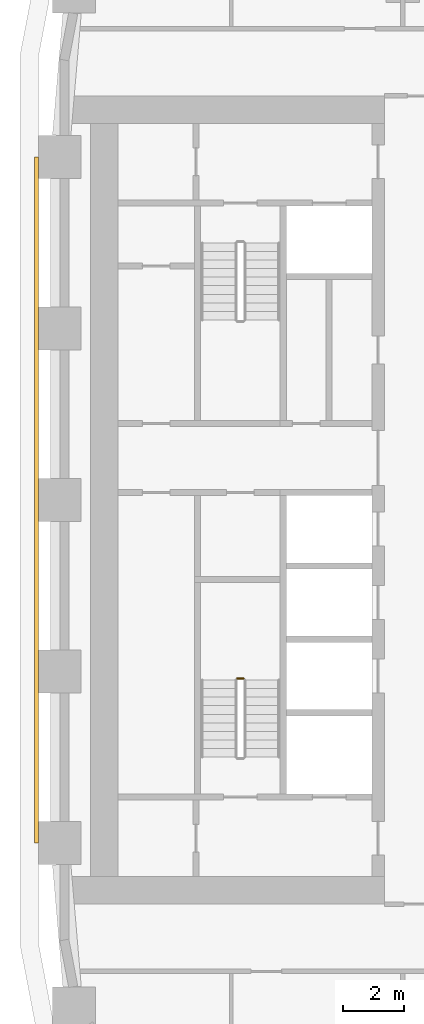
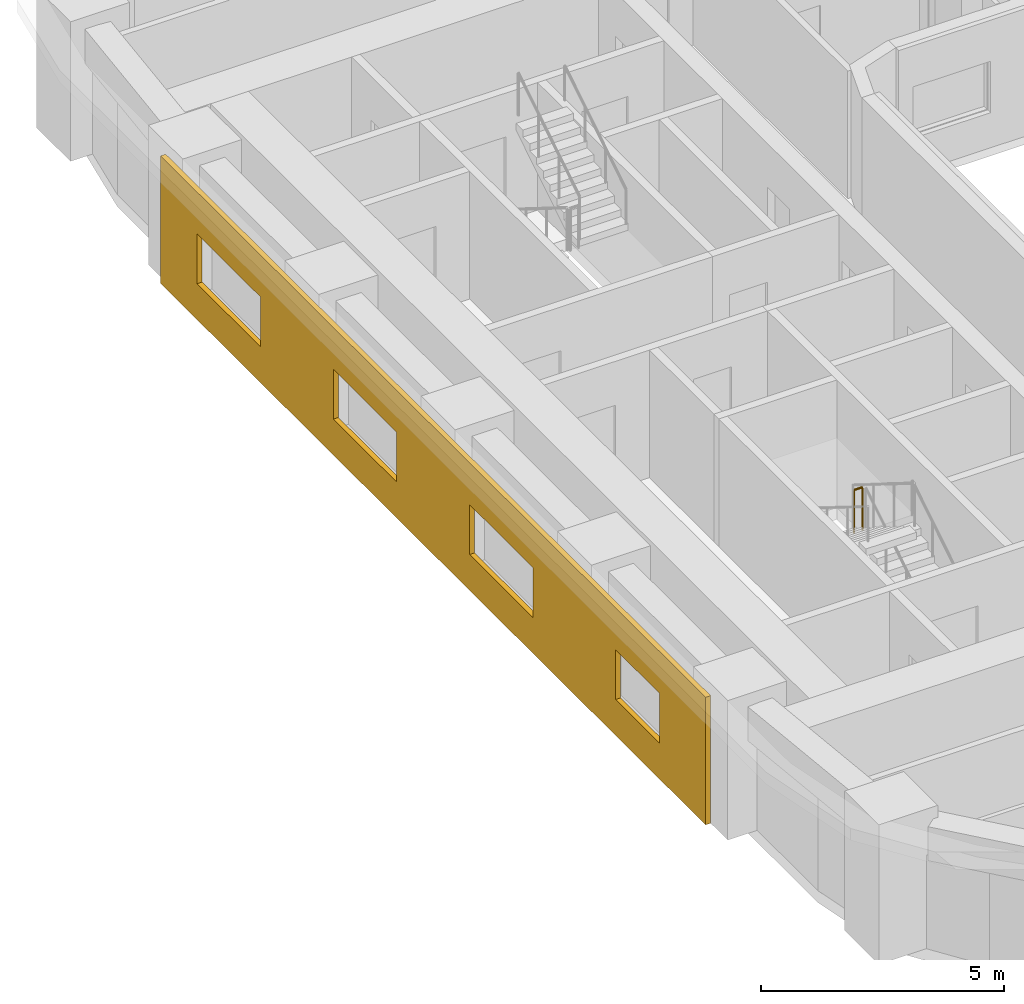
# One storey, part 14 of 22: 1 covering, 1 railing.
"""IFC4 building model written with IfcOpenShell, lengths in metres."""

from ifc_helpers import new_model, si_unit, direction, frame, origin, origin_2d, place, context, subcontext, project, spatial, polyline, circle, outline, extrude, material, layer, layer_set, type_object, element, save


model = new_model("IFC4")

# Units and contexts
model_context = context("Model", 3, precision=1e-05, world=origin(), true_north=direction((0.0, 1.0)))
body_context = subcontext(model_context, "Body", "Model", "MODEL_VIEW")
ifc_project = project(units=[si_unit("LENGTHUNIT", "METRE"), si_unit("AREAUNIT", "SQUARE_METRE"), si_unit("VOLUMEUNIT", "CUBIC_METRE"), si_unit("PLANEANGLEUNIT", "RADIAN"), si_unit("MASSUNIT", "GRAM", prefix="KILO")], contexts=[model_context])

# Site, building, storey
site_placement = place(None, origin())
site = spatial("IfcSite", under=ifc_project, at=site_placement, CompositionType="ELEMENT")
building_placement = place(site_placement, origin())
building = spatial("IfcBuilding", under=site, at=building_placement, Name="Kiln Ring Residences", CompositionType="ELEMENT")
storey_placement = place(building_placement, frame((0.0, 0.0, 62.0)))
storey = spatial("IfcBuildingStorey", under=building, at=storey_placement, Name="L15", CompositionType="ELEMENT", Elevation=62.0)

# Railing
ifc_material_1 = material(Name="Stainless steel", Category="steel")
railing_type = type_object("IfcRailingType", Name="CORE-STAIR-GUARD", PredefinedType="GUARDRAIL", material=ifc_material_1)
railing_placement = place(storey_placement, frame((-22.0, -5.830078125, 1.75)))
element("IfcRailing", 1, at=railing_placement, inside=storey, type_object=railing_type, Name="L15 W-STS stair guard 2", PredefinedType="GUARDRAIL", context=body_context, shape_type="SweptSolid", body=[
    extrude(circle(Radius=0.02392578125, at=origin_2d()), frame((0.0, 0.0, 1.076171875), z_axis=(-1.0, 0.0, 0.0), x_axis=(0.0, -1.0, 0.0)), (0.0, 0.0, 1.0), 0.199951171875),
    extrude(circle(Radius=0.02099609375, at=origin_2d()), origin(), (0.0, 0.0, 1.0), 1.052001953125),
    extrude(circle(Radius=0.02099609375, at=origin_2d()), frame((-0.199951171875, 0.0, 0.0)), (0.0, 0.0, 1.0), 1.052001953125),
])

# Covering
ifc_material_2 = material(Name="Brick masonry, dark clay brick", Category="masonry")
ifc_layer = layer(ifc_material_2, 0.1201171875)
ifc_layer_set = layer_set([ifc_layer], Name="RAINSCREEN PANEL 120")
covering_type = type_object("IfcCoveringType", Name="RAINSCREEN PANEL 120", PredefinedType="CLADDING", material=ifc_layer_set)
covering_placement = place(storey_placement, frame((-28.760009765625, 11.199951171875, 0.0), z_axis=(0.0, 0.0, 1.0), x_axis=(0.0, -1.0, 0.0)))
element("IfcCovering", 2, at=covering_placement, inside=storey, type_object=covering_type, Name="RAINSCREEN L15", PredefinedType="CLADDING", context=body_context, shape_type="SweptSolid", body=[
    extrude(outline(polyline([(0.0, 0.0), (22.39990234375, 0.0), (22.39990234375, 3.199951171875), (0.0, 3.199951171875), (0.0, 0.0)]), holes=[polyline([(4.10009765625, 0.89990234375), (4.10009765625, 2.14990234375), (1.5, 2.14990234375), (1.5, 0.89990234375), (4.10009765625, 0.89990234375)]), polyline([(9.699951171875, 0.89990234375), (9.699951171875, 2.14990234375), (7.10009765625, 2.14990234375), (7.10009765625, 0.89990234375), (9.699951171875, 0.89990234375)]), polyline([(15.300048828125, 0.89990234375), (15.300048828125, 2.14990234375), (12.699951171875, 2.14990234375), (12.699951171875, 0.89990234375), (15.300048828125, 0.89990234375)]), polyline([(20.5, 0.89990234375), (20.5, 2.14990234375), (18.699951171875, 2.14990234375), (18.699951171875, 0.89990234375), (20.5, 0.89990234375)])]), frame((0.0, 0.06005859375, 0.0), z_axis=(0.0, -1.0, 0.0), x_axis=(1.0, 0.0, 0.0)), (0.0, 0.0, 1.0), 0.1201171875),
])

save(model, "model.ifc")
